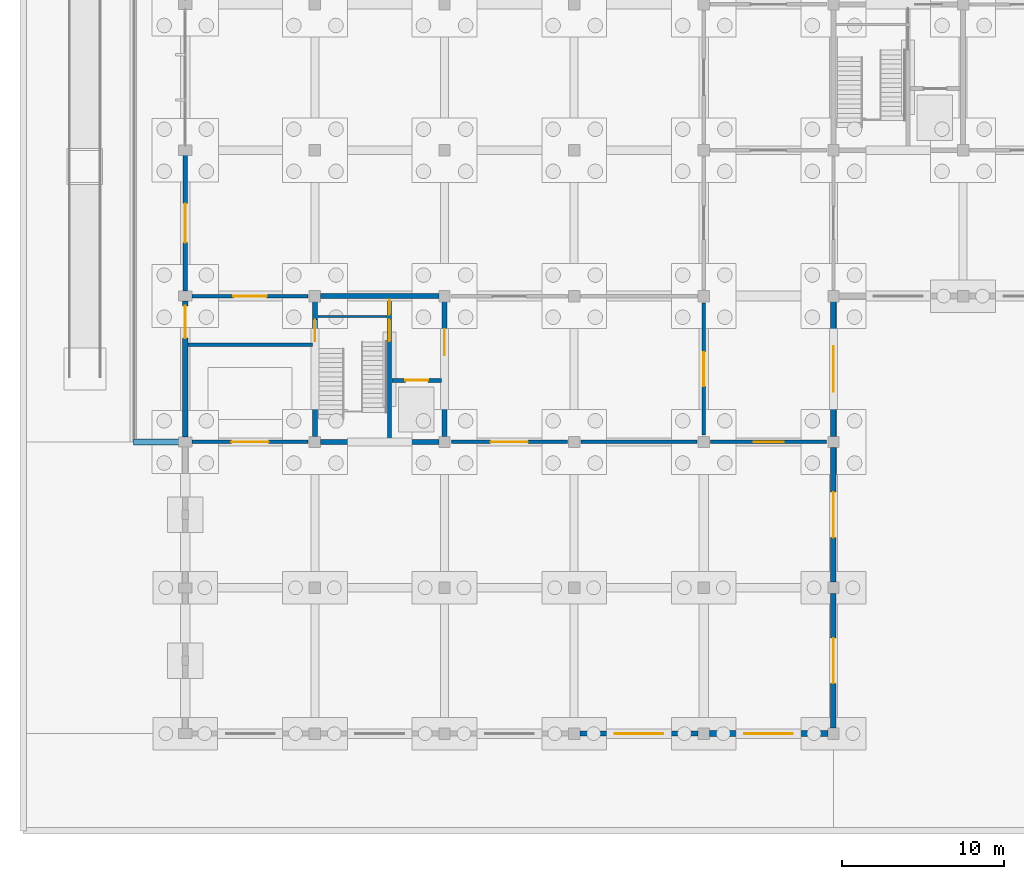
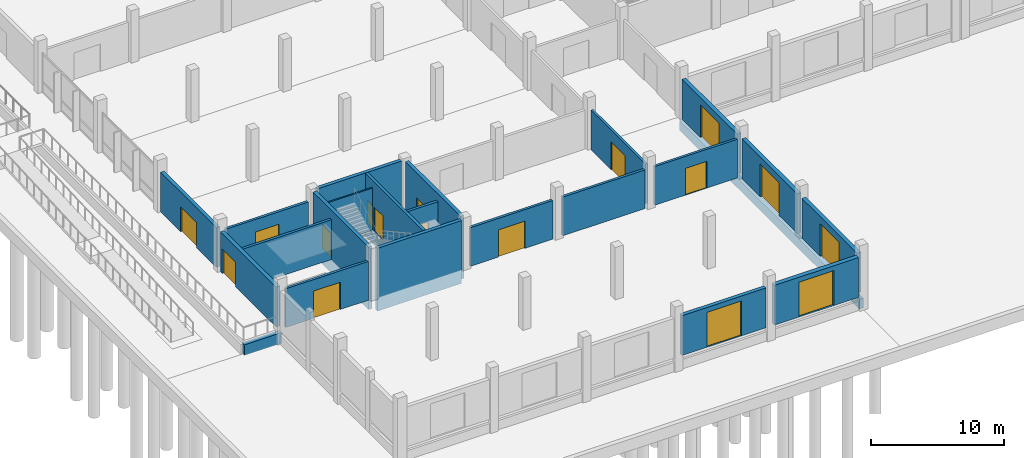
# One storey, part 40 of 72: 23 walls, 17 doors, 17 openings.
"""IFC4 building model written with IfcOpenShell, lengths in metres."""

from ifc_helpers import new_model, si_unit, direction, frame, frame_2d, origin, place, context, subcontext, project, spatial, rectangle, extrude, material, layer, layer_set, type_object, element, fill, save


model = new_model("IFC4")

# Units and contexts
model_context = context("Model", 3, precision=1e-05, world=origin(), true_north=direction((0.0, 1.0)))
body_context = subcontext(model_context, "Body", "Model", "MODEL_VIEW")
ifc_project = project(units=[si_unit("LENGTHUNIT", "METRE"), si_unit("AREAUNIT", "SQUARE_METRE"), si_unit("VOLUMEUNIT", "CUBIC_METRE"), si_unit("PLANEANGLEUNIT", "RADIAN"), si_unit("MASSUNIT", "GRAM", prefix="KILO"), si_unit("THERMODYNAMICTEMPERATUREUNIT", "KELVIN"), si_unit("POWERUNIT", "WATT")], contexts=[model_context])

# Site, building, storey
site_placement = place(None, origin())
site = spatial("IfcSite", under=ifc_project, at=site_placement, CompositionType="ELEMENT")
building_placement = place(site_placement, origin())
building = spatial("IfcBuilding", under=site, at=building_placement, Name="Kronsvod Quay Wholesale Market", CompositionType="ELEMENT")
storey_placement = place(building_placement, origin())
storey = spatial("IfcBuildingStorey", under=building, at=storey_placement, Name="L00", CompositionType="ELEMENT", Elevation=0.0)

# Wall, opening, door
ifc_material_1 = material(Name="Polyisocyanurate insulated cold-room panel")
ifc_layer_1 = layer(ifc_material_1, 0.195068359375)
ifc_layer_set_1 = layer_set([ifc_layer_1], Name="Polyisocyanurate insulated cold-room panel")
wall_type_1 = type_object("IfcWallType", Name="Wall_ColdInsul195", PredefinedType="PARTITIONING", material=ifc_layer_set_1)
wall_1_placement = place(storey_placement, frame((32.0, 18.419921875, 0.0), z_axis=(0.0, 0.0, 1.0), x_axis=(0.0, 1.0, 0.0)))
wall_1 = element("IfcWall", 1, at=wall_1_placement, inside=storey, type_object=wall_type_1, Name="PW-L00-0007", PredefinedType="PARTITIONING", context=body_context, shape_type="SweptSolid", body=[
    extrude(rectangle(XDim=8.16015625, YDim=0.195068359375, at=frame_2d((4.080078125, 0.0))), origin(), (0.0, 0.0, 1.0), 3.64990234375),
])
opening_1_placement = place(wall_1_placement, frame((3.030029296875, 0.0, 0.0)))
opening_1 = element("IfcOpeningElement", 2, at=opening_1_placement, cuts=wall_1, Name="Opening D-0130", PredefinedType="OPENING", context=body_context, shape_type="SweptSolid", body=[
    extrude(rectangle(XDim=2.10009765625, YDim=2.550048828125, at=frame_2d((1.050048828125, 1.27490234375))), frame((0.0, 0.107421875, 0.0), z_axis=(0.0, -1.0, 0.0), x_axis=(1.0, 0.0, 0.0)), (0.0, 0.0, 1.0), 0.215087890625),
])
ifc_material_2 = material(Name="Insulated stainless cold-store door", Category="steel")
door_type_1 = type_object("IfcDoorType", Name="Door_ColdSlide210x255", OperationType="SLIDING_TO_RIGHT", PredefinedType="DOOR", material=ifc_material_2)
door_1_placement = place(opening_1_placement, origin())
door_1 = element("IfcDoor", 3, at=door_1_placement, inside=storey, type_object=door_type_1, Name="Interior Door D-0130", OperationType="SLIDING_TO_LEFT", OverallHeight=2.550048828125, OverallWidth=2.10009765625, PredefinedType="DOOR", context=body_context, shape_type="SweptSolid", body=[
    extrude(rectangle(XDim=2.10009765625, YDim=2.550048828125, at=frame_2d((1.050048828125, 1.27490234375))), frame((0.0, 0.02490234375, 0.0), z_axis=(0.0, -1.0, 0.0), x_axis=(1.0, 0.0, 0.0)), (0.0, 0.0, 1.0), 0.050048828125),
])
fill(opening_1, door_1)

ifc_material_3 = material(Name="Polyisocyanurate insulated cold-room panel")
ifc_layer_2 = layer(ifc_material_3, 0.2099609375)
ifc_layer_set_2 = layer_set([ifc_layer_2], Name="Polyisocyanurate insulated cold-room panel")
wall_type_2 = type_object("IfcWallType", Name="Wall_ColdInsul210", PredefinedType="PARTITIONING", material=ifc_layer_set_2)
wall_2_placement = place(storey_placement, frame((32.419921875, 18.0, 0.0), z_axis=(0.0, 0.0, 1.0), x_axis=(1.0, 0.0, 0.0)))
wall_2 = element("IfcWall", 4, at=wall_2_placement, inside=storey, type_object=wall_type_2, Name="PW-L00-0033", PredefinedType="PARTITIONING", context=body_context, shape_type="SweptSolid", body=[
    extrude(rectangle(XDim=7.16015625, YDim=0.2099609375, at=frame_2d((3.580078125, 0.0))), origin(), (0.0, 0.0, 1.0), 3.550048828125),
])
opening_2_placement = place(wall_2_placement, frame((2.655029296875, 0.0, 0.0)))
opening_2 = element("IfcOpeningElement", 5, at=opening_2_placement, cuts=wall_2, Name="Opening D-0146", PredefinedType="OPENING", context=body_context, shape_type="SweptSolid", body=[
    extrude(rectangle(XDim=1.85009765625, YDim=2.449951171875, at=frame_2d((0.925048828125, 1.22509765625))), frame((0.0, 0.114990234375, 0.0), z_axis=(0.0, -1.0, 0.0), x_axis=(1.0, 0.0, 0.0)), (0.0, 0.0, 1.0), 0.22998046875),
])
ifc_material_4 = material(Name="Insulated stainless cold-store door", Category="steel")
door_type_2 = type_object("IfcDoorType", Name="Door_ColdSlide185x245", OperationType="SLIDING_TO_LEFT", PredefinedType="DOOR", material=ifc_material_4)
door_2_placement = place(opening_2_placement, origin())
door_2 = element("IfcDoor", 6, at=door_2_placement, inside=storey, type_object=door_type_2, Name="Interior Door D-0146", OperationType="SLIDING_TO_LEFT", OverallHeight=2.449951171875, OverallWidth=1.85009765625, PredefinedType="DOOR", context=body_context, shape_type="SweptSolid", body=[
    extrude(rectangle(XDim=1.85009765625, YDim=2.449951171875, at=frame_2d((0.925048828125, 1.22509765625))), frame((0.0, 0.02490234375, 0.0), z_axis=(0.0, -1.0, 0.0), x_axis=(1.0, 0.0, 0.0)), (0.0, 0.0, 1.0), 0.050048828125),
])
fill(opening_2, door_2)

# Walls
ifc_material_5 = material(Name="Concrete C35/45", Category="concrete")
ifc_layer_3 = layer(ifc_material_5, 0.300048828125)
ifc_layer_set_3 = layer_set([ifc_layer_3], Name="Concrete C35/45")
wall_type_3 = type_object("IfcWallType", Name="Wall_CoreShear300", PredefinedType="SHEAR", material=ifc_layer_set_3)
for number, where, z_axis, x_axis, name in (
    (7, (8.344970703125, 18.0, -1.25), (0.0, 0.0, 1.0), (1.0, 0.0, 0.0), "CW-C01-L00-S"),
    (8, (8.344970703125, 27.0, -1.25), (0.0, 0.0, 1.0), (1.0, 0.0, 0.0), "CW-C01-L00-N"),
):
    element("IfcWall", number, at=place(storey_placement, frame(where, z_axis=z_axis, x_axis=x_axis)), inside=storey, type_object=wall_type_3, Name=name, PredefinedType="SHEAR", context=body_context, shape_type="SweptSolid", body=[
        extrude(rectangle(XDim=7.31005859375, YDim=0.300048828125, at=frame_2d((3.655029296875, 0.0))), origin(), (0.0, 0.0, 1.0), 5.7548828125),
    ])

# Wall, opening, door
wall_3_placement = place(storey_placement, frame((8.0, 18.344970703125, -1.25), z_axis=(0.0, 0.0, 1.0), x_axis=(0.0, 1.0, 0.0)))
wall_3 = element("IfcWall", 9, at=wall_3_placement, inside=storey, type_object=wall_type_3, Name="CW-C01-L00-W", PredefinedType="SHEAR", context=body_context, shape_type="SweptSolid", body=[
    extrude(rectangle(XDim=8.31005859375, YDim=0.300048828125, at=frame_2d((4.155029296875, 0.0))), origin(), (0.0, 0.0, 1.0), 5.7548828125),
])
opening_3_placement = place(wall_3_placement, frame((5.85498046875, 0.0, 1.25)))
opening_3 = element("IfcOpeningElement", 10, at=opening_3_placement, cuts=wall_3, Name="Opening D-0398", PredefinedType="OPENING", context=body_context, shape_type="SweptSolid", body=[
    extrude(rectangle(XDim=1.35009765625, YDim=2.199951171875, at=frame_2d((0.675048828125, 1.10009765625))), frame((0.0, 0.16015625, 0.0), z_axis=(0.0, -1.0, 0.0), x_axis=(1.0, 0.0, 0.0)), (0.0, 0.0, 1.0), 0.320068359375),
])
ifc_material_6 = material(Name="Painted galvanized fire steel", Category="steel")
door_type_3 = type_object("IfcDoorType", Name="Door_FireStair135x220", OperationType="NOTDEFINED", PredefinedType="DOOR", material=ifc_material_6)
door_3_placement = place(opening_3_placement, origin())
door_3 = element("IfcDoor", 11, at=door_3_placement, inside=storey, type_object=door_type_3, Name="Stair Exit Door D-0398", OperationType="SINGLE_SWING_LEFT", OverallHeight=2.199951171875, OverallWidth=1.35009765625, PredefinedType="DOOR", context=body_context, shape_type="SweptSolid", body=[
    extrude(rectangle(XDim=1.35009765625, YDim=2.199951171875, at=frame_2d((0.675048828125, 1.10009765625))), frame((0.0, 0.02490234375, 0.0), z_axis=(0.0, -1.0, 0.0), x_axis=(1.0, 0.0, 0.0)), (0.0, 0.0, 1.0), 0.050048828125),
])
fill(opening_3, door_3)

wall_4_placement = place(storey_placement, frame((16.0, 18.344970703125, -1.25), z_axis=(0.0, 0.0, 1.0), x_axis=(0.0, 1.0, 0.0)))
wall_4 = element("IfcWall", 12, at=wall_4_placement, inside=storey, type_object=wall_type_3, Name="CW-C01-L00-E", PredefinedType="SHEAR", context=body_context, shape_type="SweptSolid", body=[
    extrude(rectangle(XDim=8.31005859375, YDim=0.300048828125, at=frame_2d((4.155029296875, 0.0))), origin(), (0.0, 0.0, 1.0), 5.7548828125),
])
opening_4_placement = place(wall_4_placement, frame((5.0, 0.0, 1.25)))
opening_4 = element("IfcOpeningElement", 13, at=opening_4_placement, cuts=wall_4, Name="Opening D-0003", PredefinedType="OPENING", context=body_context, shape_type="SweptSolid", body=[
    extrude(rectangle(XDim=1.60009765625, YDim=2.199951171875, at=frame_2d((0.800048828125, 1.10009765625))), frame((0.0, 0.16015625, 0.0), z_axis=(0.0, -1.0, 0.0), x_axis=(1.0, 0.0, 0.0)), (0.0, 0.0, 1.0), 0.320068359375),
])
ifc_material_7 = material(Name="Painted galvanized fire steel", Category="steel")
door_type_4 = type_object("IfcDoorType", Name="Door_FireLobby160x220", OperationType="DOUBLE_DOOR_SINGLE_SWING", PredefinedType="DOOR", material=ifc_material_7)
door_4_placement = place(opening_4_placement, origin())
door_4 = element("IfcDoor", 14, at=door_4_placement, inside=storey, type_object=door_type_4, Name="Core Lobby Door D-0003", OperationType="DOUBLE_DOOR_SINGLE_SWING", OverallHeight=2.199951171875, OverallWidth=1.60009765625, PredefinedType="DOOR", context=body_context, shape_type="SweptSolid", body=[
    extrude(rectangle(XDim=1.60009765625, YDim=2.199951171875, at=frame_2d((0.800048828125, 1.10009765625))), frame((0.0, 0.02490234375, 0.0), z_axis=(0.0, -1.0, 0.0), x_axis=(1.0, 0.0, 0.0)), (0.0, 0.0, 1.0), 0.050048828125),
])
fill(opening_4, door_4)

ifc_material_8 = material(Name="Precast concrete C40/50", Category="concrete")
ifc_layer_4 = layer(ifc_material_8, 0.340087890625)
ifc_layer_set_4 = layer_set([ifc_layer_4], Name="Precast concrete C40/50")
wall_type_4 = type_object("IfcWallType", Name="Wall_ExtColdSandwich340", PredefinedType="SOLIDWALL", material=ifc_layer_set_4)
wall_5_placement = place(storey_placement, frame((0.0, 26.695068359375, 0.0), z_axis=(0.0, 0.0, 1.0), x_axis=(0.0, -1.0, 0.0)))
wall_5 = element("IfcWall", 15, at=wall_5_placement, inside=storey, type_object=wall_type_4, Name="EW-Y-L00-0015", PredefinedType="SOLIDWALL", context=body_context, shape_type="SweptSolid", body=[
    extrude(rectangle(XDim=8.39013671875, YDim=0.340087890625, at=frame_2d((4.195068359375, 0.0))), origin(), (0.0, 0.0, 1.0), 3.64990234375),
])
opening_5_placement = place(wall_5_placement, frame((0.29296875, 0.0, 0.0)))
opening_5 = element("IfcOpeningElement", 16, at=opening_5_placement, cuts=wall_5, Name="Opening ED-061", PredefinedType="OPENING", context=body_context, shape_type="SweptSolid", body=[
    extrude(rectangle(XDim=2.0, YDim=2.25, at=frame_2d((1.0, 1.125))), frame((0.0, 0.18017578125, 0.0), z_axis=(0.0, -1.0, 0.0), x_axis=(1.0, 0.0, 0.0)), (0.0, 0.0, 1.0), 0.360107421875),
])
ifc_material_9 = material(Name="Aluminium and safety glass", Category="aluminium")
door_type_5 = type_object("IfcDoorType", Name="Door_ExitDouble200x225", OperationType="DOUBLE_DOOR_SINGLE_SWING", PredefinedType="DOOR", material=ifc_material_9)
door_5_placement = place(opening_5_placement, frame((2.0, 0.0, 0.0), z_axis=(0.0, 0.0, 1.0), x_axis=(-1.0, 0.0, 0.0)))
door_5 = element("IfcDoor", 17, at=door_5_placement, inside=storey, type_object=door_type_5, Name="Street Exit Door ED-061", OperationType="DOUBLE_DOOR_SINGLE_SWING", OverallHeight=2.25, OverallWidth=2.0, PredefinedType="DOOR", context=body_context, shape_type="SweptSolid", body=[
    extrude(rectangle(XDim=2.0, YDim=2.25, at=frame_2d((1.0, 1.125))), frame((0.0, 0.02490234375, 0.0), z_axis=(0.0, -1.0, 0.0), x_axis=(1.0, 0.0, 0.0)), (0.0, 0.0, 1.0), 0.050048828125),
])
fill(opening_5, door_5)

wall_6_placement = place(storey_placement, frame((40.0, 0.344970703125, 0.0), z_axis=(0.0, 0.0, 1.0), x_axis=(0.0, 1.0, 0.0)))
wall_6 = element("IfcWall", 18, at=wall_6_placement, inside=storey, type_object=wall_type_4, Name="EW-Y-L00-0021", PredefinedType="SOLIDWALL", context=body_context, shape_type="SweptSolid", body=[
    extrude(rectangle(XDim=8.31005859375, YDim=0.340087890625, at=frame_2d((4.155029296875, 0.0))), origin(), (0.0, 0.0, 1.0), 3.64990234375),
])
opening_6_placement = place(wall_6_placement, frame((2.7548828125, 0.0, 0.0)))
opening_6 = element("IfcOpeningElement", 19, at=opening_6_placement, cuts=wall_6, Name="Opening ED-015", PredefinedType="OPENING", context=body_context, shape_type="SweptSolid", body=[
    extrude(rectangle(XDim=2.800048828125, YDim=3.0, at=frame_2d((1.39990234375, 1.5))), frame((0.0, 0.18017578125, 0.0), z_axis=(0.0, -1.0, 0.0), x_axis=(1.0, 0.0, 0.0)), (0.0, 0.0, 1.0), 0.360107421875),
])
ifc_material_10 = material(Name="Insulated galvanized steel sectional shutter", Category="steel")
door_type_6 = type_object("IfcDoorType", Name="Door_DockShutter280x300", OperationType="ROLLINGUP", PredefinedType="GATE", material=ifc_material_10)
door_6_placement = place(opening_6_placement, origin())
door_6 = element("IfcDoor", 20, at=door_6_placement, inside=storey, type_object=door_type_6, Name="Loading Dock Door ED-015", OperationType="ROLLINGUP", OverallHeight=3.0, OverallWidth=2.800048828125, PredefinedType="GATE", context=body_context, shape_type="SweptSolid", body=[
    extrude(rectangle(XDim=2.800048828125, YDim=3.0, at=frame_2d((1.39990234375, 1.5))), frame((0.0, 0.02490234375, 0.0), z_axis=(0.0, -1.0, 0.0), x_axis=(1.0, 0.0, 0.0)), (0.0, 0.0, 1.0), 0.050048828125),
])
fill(opening_6, door_6)

wall_7_placement = place(storey_placement, frame((40.0, 9.344970703125, 0.0), z_axis=(0.0, 0.0, 1.0), x_axis=(0.0, 1.0, 0.0)))
wall_7 = element("IfcWall", 21, at=wall_7_placement, inside=storey, type_object=wall_type_4, Name="EW-Y-L00-0022", PredefinedType="SOLIDWALL", context=body_context, shape_type="SweptSolid", body=[
    extrude(rectangle(XDim=8.31005859375, YDim=0.340087890625, at=frame_2d((4.155029296875, 0.0))), origin(), (0.0, 0.0, 1.0), 3.64990234375),
])
opening_7_placement = place(wall_7_placement, frame((2.7548828125, 0.0, 0.0)))
opening_7 = element("IfcOpeningElement", 22, at=opening_7_placement, cuts=wall_7, Name="Opening ED-016", PredefinedType="OPENING", context=body_context, shape_type="SweptSolid", body=[
    extrude(rectangle(XDim=2.800048828125, YDim=3.0, at=frame_2d((1.39990234375, 1.5))), frame((0.0, 0.18017578125, 0.0), z_axis=(0.0, -1.0, 0.0), x_axis=(1.0, 0.0, 0.0)), (0.0, 0.0, 1.0), 0.360107421875),
])
door_7_placement = place(opening_7_placement, origin())
door_7 = element("IfcDoor", 23, at=door_7_placement, inside=storey, type_object=door_type_6, Name="Loading Dock Door ED-016", OperationType="ROLLINGUP", OverallHeight=3.0, OverallWidth=2.800048828125, PredefinedType="GATE", context=body_context, shape_type="SweptSolid", body=[
    extrude(rectangle(XDim=2.800048828125, YDim=3.0, at=frame_2d((1.39990234375, 1.5))), frame((0.0, 0.02490234375, 0.0), z_axis=(0.0, -1.0, 0.0), x_axis=(1.0, 0.0, 0.0)), (0.0, 0.0, 1.0), 0.050048828125),
])
fill(opening_7, door_7)

wall_8_placement = place(storey_placement, frame((40.0, 18.344970703125, 0.0), z_axis=(0.0, 0.0, 1.0), x_axis=(0.0, 1.0, 0.0)))
wall_8 = element("IfcWall", 24, at=wall_8_placement, inside=storey, type_object=wall_type_4, Name="EW-Y-L00-0023", PredefinedType="SOLIDWALL", context=body_context, shape_type="SweptSolid", body=[
    extrude(rectangle(XDim=8.31005859375, YDim=0.340087890625, at=frame_2d((4.155029296875, 0.0))), origin(), (0.0, 0.0, 1.0), 3.64990234375),
])
opening_8_placement = place(wall_8_placement, frame((2.7548828125, 0.0, 0.0)))
opening_8 = element("IfcOpeningElement", 25, at=opening_8_placement, cuts=wall_8, Name="Opening ED-017", PredefinedType="OPENING", context=body_context, shape_type="SweptSolid", body=[
    extrude(rectangle(XDim=2.800048828125, YDim=3.0, at=frame_2d((1.39990234375, 1.5))), frame((0.0, 0.18017578125, 0.0), z_axis=(0.0, -1.0, 0.0), x_axis=(1.0, 0.0, 0.0)), (0.0, 0.0, 1.0), 0.360107421875),
])
door_8_placement = place(opening_8_placement, origin())
door_8 = element("IfcDoor", 26, at=door_8_placement, inside=storey, type_object=door_type_6, Name="Loading Dock Door ED-017", OperationType="ROLLINGUP", OverallHeight=3.0, OverallWidth=2.800048828125, PredefinedType="GATE", context=body_context, shape_type="SweptSolid", body=[
    extrude(rectangle(XDim=2.800048828125, YDim=3.0, at=frame_2d((1.39990234375, 1.5))), frame((0.0, 0.02490234375, 0.0), z_axis=(0.0, -1.0, 0.0), x_axis=(1.0, 0.0, 0.0)), (0.0, 0.0, 1.0), 0.050048828125),
])
fill(opening_8, door_8)

ifc_material_11 = material(Name="Precast concrete C40/50", Category="concrete")
ifc_layer_5 = layer(ifc_material_11, 0.3798828125)
ifc_layer_set_5 = layer_set([ifc_layer_5], Name="Precast concrete C40/50")
wall_type_5 = type_object("IfcWallType", Name="Wall_ExtColdSandwich380", PredefinedType="SOLIDWALL", material=ifc_layer_set_5)
wall_9_placement = place(storey_placement, frame((32.344970703125, 0.0, 0.0), z_axis=(0.0, 0.0, 1.0), x_axis=(1.0, 0.0, 0.0)))
wall_9 = element("IfcWall", 27, at=wall_9_placement, inside=storey, type_object=wall_type_5, Name="EW-X-L00-0005", PredefinedType="SOLIDWALL", context=body_context, shape_type="SweptSolid", body=[
    extrude(rectangle(XDim=7.31005859375, YDim=0.3798828125, at=frame_2d((3.655029296875, 0.0))), origin(), (0.0, 0.0, 1.0), 3.64990234375),
])
opening_9_placement = place(wall_9_placement, frame((2.155029296875, 0.0, 0.0)))
opening_9 = element("IfcOpeningElement", 28, at=opening_9_placement, cuts=wall_9, Name="Opening ED-005", PredefinedType="OPENING", context=body_context, shape_type="SweptSolid", body=[
    extrude(rectangle(XDim=3.0, YDim=3.199951171875, at=frame_2d((1.5, 1.60009765625))), frame((0.0, 0.199951171875, 0.0), z_axis=(0.0, -1.0, 0.0), x_axis=(1.0, 0.0, 0.0)), (0.0, 0.0, 1.0), 0.39990234375),
])
ifc_material_12 = material(Name="Insulated galvanized steel sectional shutter", Category="steel")
door_type_7 = type_object("IfcDoorType", Name="Door_DockShutter300x320", OperationType="ROLLINGUP", PredefinedType="GATE", material=ifc_material_12)
door_9_placement = place(opening_9_placement, origin())
door_9 = element("IfcDoor", 29, at=door_9_placement, inside=storey, type_object=door_type_7, Name="Loading Dock Door ED-005", OperationType="ROLLINGUP", OverallHeight=3.199951171875, OverallWidth=3.0, PredefinedType="GATE", context=body_context, shape_type="SweptSolid", body=[
    extrude(rectangle(XDim=3.0, YDim=3.199951171875, at=frame_2d((1.5, 1.60009765625))), frame((0.0, 0.02490234375, 0.0), z_axis=(0.0, -1.0, 0.0), x_axis=(1.0, 0.0, 0.0)), (0.0, 0.0, 1.0), 0.050048828125),
])
fill(opening_9, door_9)

ifc_material_13 = material(Name="Precast concrete C40/50", Category="concrete")
ifc_layer_6 = layer(ifc_material_13, 0.300048828125)
ifc_layer_set_6 = layer_set([ifc_layer_6], Name="Precast concrete C40/50")
wall_type_6 = type_object("IfcWallType", Name="Wall_ExtPrecast300", PredefinedType="SOLIDWALL", material=ifc_layer_set_6)
wall_10_placement = place(storey_placement, frame((0.0, 35.695068359375, 0.0), z_axis=(0.0, 0.0, 1.0), x_axis=(0.0, -1.0, 0.0)))
wall_10 = element("IfcWall", 30, at=wall_10_placement, inside=storey, type_object=wall_type_6, Name="EW-Y-L00-0016", PredefinedType="SOLIDWALL", context=body_context, shape_type="SweptSolid", body=[
    extrude(rectangle(XDim=8.39013671875, YDim=0.300048828125, at=frame_2d((4.195068359375, 0.0))), origin(), (0.0, 0.0, 1.0), 3.64990234375),
])
opening_10_placement = place(wall_10_placement, frame((2.9951171875, 0.0, 0.0)))
opening_10 = element("IfcOpeningElement", 31, at=opening_10_placement, cuts=wall_10, Name="Opening ED-011", PredefinedType="OPENING", context=body_context, shape_type="SweptSolid", body=[
    extrude(rectangle(XDim=2.39990234375, YDim=2.300048828125, at=frame_2d((1.199951171875, 1.14990234375))), frame((0.0, 0.16015625, 0.0), z_axis=(0.0, -1.0, 0.0), x_axis=(1.0, 0.0, 0.0)), (0.0, 0.0, 1.0), 0.320068359375),
])
ifc_material_14 = material(Name="Aluminium and safety glass", Category="aluminium")
door_type_8 = type_object("IfcDoorType", Name="Door_ExitDouble240x230", OperationType="DOUBLE_DOOR_SINGLE_SWING", PredefinedType="DOOR", material=ifc_material_14)
door_10_placement = place(opening_10_placement, frame((2.39990234375, 0.0, 0.0), z_axis=(0.0, 0.0, 1.0), x_axis=(-1.0, 0.0, 0.0)))
door_10 = element("IfcDoor", 32, at=door_10_placement, inside=storey, type_object=door_type_8, Name="Street Exit Door ED-011", OperationType="DOUBLE_DOOR_SINGLE_SWING", OverallHeight=2.300048828125, OverallWidth=2.39990234375, PredefinedType="DOOR", context=body_context, shape_type="SweptSolid", body=[
    extrude(rectangle(XDim=2.39990234375, YDim=2.300048828125, at=frame_2d((1.199951171875, 1.14990234375))), frame((0.0, 0.02490234375, 0.0), z_axis=(0.0, -1.0, 0.0), x_axis=(1.0, 0.0, 0.0)), (0.0, 0.0, 1.0), 0.050048828125),
])
fill(opening_10, door_10)

ifc_material_15 = material(Name="Precast concrete C40/50", Category="concrete")
ifc_layer_7 = layer(ifc_material_15, 0.320068359375)
ifc_layer_set_7 = layer_set([ifc_layer_7], Name="Precast concrete C40/50")
wall_type_7 = type_object("IfcWallType", Name="Wall_ExtPrecast320", PredefinedType="SOLIDWALL", material=ifc_layer_set_7)
wall_11_placement = place(storey_placement, frame((24.344970703125, 0.0, 0.0), z_axis=(0.0, 0.0, 1.0), x_axis=(1.0, 0.0, 0.0)))
wall_11 = element("IfcWall", 33, at=wall_11_placement, inside=storey, type_object=wall_type_7, Name="EW-X-L00-0004", PredefinedType="SOLIDWALL", context=body_context, shape_type="SweptSolid", body=[
    extrude(rectangle(XDim=7.31005859375, YDim=0.320068359375, at=frame_2d((3.655029296875, 0.0))), origin(), (0.0, 0.0, 1.0), 3.64990234375),
])
opening_11_placement = place(wall_11_placement, frame((2.155029296875, 0.0, 0.0)))
opening_11 = element("IfcOpeningElement", 34, at=opening_11_placement, cuts=wall_11, Name="Opening ED-004", PredefinedType="OPENING", context=body_context, shape_type="SweptSolid", body=[
    extrude(rectangle(XDim=3.0, YDim=3.199951171875, at=frame_2d((1.5, 1.60009765625))), frame((0.0, 0.169921875, 0.0), z_axis=(0.0, -1.0, 0.0), x_axis=(1.0, 0.0, 0.0)), (0.0, 0.0, 1.0), 0.340087890625),
])
door_11_placement = place(opening_11_placement, origin())
door_11 = element("IfcDoor", 35, at=door_11_placement, inside=storey, type_object=door_type_7, Name="Loading Dock Door ED-004", OperationType="ROLLINGUP", OverallHeight=3.199951171875, OverallWidth=3.0, PredefinedType="GATE", context=body_context, shape_type="SweptSolid", body=[
    extrude(rectangle(XDim=3.0, YDim=3.199951171875, at=frame_2d((1.5, 1.60009765625))), frame((0.0, 0.02490234375, 0.0), z_axis=(0.0, -1.0, 0.0), x_axis=(1.0, 0.0, 0.0)), (0.0, 0.0, 1.0), 0.050048828125),
])
fill(opening_11, door_11)

ifc_material_16 = material(Name="Concrete C35/45", Category="concrete")
ifc_layer_8 = layer(ifc_material_16, 0.219970703125)
ifc_layer_set_8 = layer_set([ifc_layer_8], Name="Concrete C35/45")
wall_type_8 = type_object("IfcWallType", Name="Wall_FireComp220", PredefinedType="SOLIDWALL", material=ifc_layer_set_8)
wall_12_placement = place(storey_placement, frame((0.419921875, 27.0, 0.0), z_axis=(0.0, 0.0, 1.0), x_axis=(1.0, 0.0, 0.0)))
wall_12 = element("IfcWall", 36, at=wall_12_placement, inside=storey, type_object=wall_type_8, Name="PW-L00-0001", PredefinedType="SOLIDWALL", context=body_context, shape_type="SweptSolid", body=[
    extrude(rectangle(XDim=7.16015625, YDim=0.219970703125, at=frame_2d((3.580078125, 0.0))), origin(), (0.0, 0.0, 1.0), 3.550048828125),
])
opening_12_placement = place(wall_12_placement, frame((2.554931640625, 0.0, 0.0)))
opening_12 = element("IfcOpeningElement", 37, at=opening_12_placement, cuts=wall_12, Name="Opening D-0126", PredefinedType="OPENING", context=body_context, shape_type="SweptSolid", body=[
    extrude(rectangle(XDim=2.050048828125, YDim=2.39990234375, at=frame_2d((1.02490234375, 1.199951171875))), frame((0.0, 0.1201171875, 0.0), z_axis=(0.0, -1.0, 0.0), x_axis=(1.0, 0.0, 0.0)), (0.0, 0.0, 1.0), 0.239990234375),
])
ifc_material_17 = material(Name="Impact-protected warehouse double door", Category="steel")
door_type_9 = type_object("IfcDoorType", Name="Door_Sorting205x240", OperationType="DOUBLE_DOOR_SINGLE_SWING", PredefinedType="DOOR", material=ifc_material_17)
door_12_placement = place(opening_12_placement, origin())
door_12 = element("IfcDoor", 38, at=door_12_placement, inside=storey, type_object=door_type_9, Name="Interior Door D-0126", OperationType="DOUBLE_DOOR_SINGLE_SWING", OverallHeight=2.39990234375, OverallWidth=2.050048828125, PredefinedType="DOOR", context=body_context, shape_type="SweptSolid", body=[
    extrude(rectangle(XDim=2.050048828125, YDim=2.39990234375, at=frame_2d((1.02490234375, 1.199951171875))), frame((0.0, 0.02490234375, 0.0), z_axis=(0.0, -1.0, 0.0), x_axis=(1.0, 0.0, 0.0)), (0.0, 0.0, 1.0), 0.050048828125),
])
fill(opening_12, door_12)

wall_13_placement = place(storey_placement, frame((0.419921875, 18.0, 0.0), z_axis=(0.0, 0.0, 1.0), x_axis=(1.0, 0.0, 0.0)))
wall_13 = element("IfcWall", 39, at=wall_13_placement, inside=storey, type_object=wall_type_8, Name="PW-L00-0002", PredefinedType="SOLIDWALL", context=body_context, shape_type="SweptSolid", body=[
    extrude(rectangle(XDim=7.16015625, YDim=0.219970703125, at=frame_2d((3.580078125, 0.0))), origin(), (0.0, 0.0, 1.0), 3.550048828125),
])
opening_13_placement = place(wall_13_placement, frame((2.429931640625, 0.0, 0.0)))
opening_13 = element("IfcOpeningElement", 40, at=opening_13_placement, cuts=wall_13, Name="Opening D-0127", PredefinedType="OPENING", context=body_context, shape_type="SweptSolid", body=[
    extrude(rectangle(XDim=2.300048828125, YDim=2.5, at=frame_2d((1.14990234375, 1.25))), frame((0.0, 0.1201171875, 0.0), z_axis=(0.0, -1.0, 0.0), x_axis=(1.0, 0.0, 0.0)), (0.0, 0.0, 1.0), 0.239990234375),
])
ifc_material_18 = material(Name="Impact-protected warehouse double door", Category="steel")
door_type_10 = type_object("IfcDoorType", Name="Door_Sorting230x250", OperationType="DOUBLE_DOOR_SINGLE_SWING", PredefinedType="DOOR", material=ifc_material_18)
door_13_placement = place(opening_13_placement, origin())
door_13 = element("IfcDoor", 41, at=door_13_placement, inside=storey, type_object=door_type_10, Name="Interior Door D-0127", OperationType="DOUBLE_DOOR_SINGLE_SWING", OverallHeight=2.5, OverallWidth=2.300048828125, PredefinedType="DOOR", context=body_context, shape_type="SweptSolid", body=[
    extrude(rectangle(XDim=2.300048828125, YDim=2.5, at=frame_2d((1.14990234375, 1.25))), frame((0.0, 0.02490234375, 0.0), z_axis=(0.0, -1.0, 0.0), x_axis=(1.0, 0.0, 0.0)), (0.0, 0.0, 1.0), 0.050048828125),
])
fill(opening_13, door_13)

wall_14_placement = place(storey_placement, frame((16.419921875, 18.0, 0.0), z_axis=(0.0, 0.0, 1.0), x_axis=(1.0, 0.0, 0.0)))
wall_14 = element("IfcWall", 42, at=wall_14_placement, inside=storey, type_object=wall_type_8, Name="PW-L00-0005", PredefinedType="SOLIDWALL", context=body_context, shape_type="SweptSolid", body=[
    extrude(rectangle(XDim=7.16015625, YDim=0.219970703125, at=frame_2d((3.580078125, 0.0))), origin(), (0.0, 0.0, 1.0), 3.550048828125),
])
opening_14_placement = place(wall_14_placement, frame((2.429931640625, 0.0, 0.0)))
opening_14 = element("IfcOpeningElement", 43, at=opening_14_placement, cuts=wall_14, Name="Opening D-0129", PredefinedType="OPENING", context=body_context, shape_type="SweptSolid", body=[
    extrude(rectangle(XDim=2.300048828125, YDim=2.5, at=frame_2d((1.14990234375, 1.25))), frame((0.0, 0.1201171875, 0.0), z_axis=(0.0, -1.0, 0.0), x_axis=(1.0, 0.0, 0.0)), (0.0, 0.0, 1.0), 0.239990234375),
])
door_14_placement = place(opening_14_placement, origin())
door_14 = element("IfcDoor", 44, at=door_14_placement, inside=storey, type_object=door_type_10, Name="Interior Door D-0129", OperationType="DOUBLE_DOOR_SINGLE_SWING", OverallHeight=2.5, OverallWidth=2.300048828125, PredefinedType="DOOR", context=body_context, shape_type="SweptSolid", body=[
    extrude(rectangle(XDim=2.300048828125, YDim=2.5, at=frame_2d((1.14990234375, 1.25))), frame((0.0, 0.02490234375, 0.0), z_axis=(0.0, -1.0, 0.0), x_axis=(1.0, 0.0, 0.0)), (0.0, 0.0, 1.0), 0.050048828125),
])
fill(opening_14, door_14)

# Walls
wall_15_placement = place(storey_placement, frame((24.419921875, 18.0, 0.0), z_axis=(0.0, 0.0, 1.0), x_axis=(1.0, 0.0, 0.0)))
element("IfcWall", 45, at=wall_15_placement, inside=storey, type_object=wall_type_8, Name="PW-L00-0006", PredefinedType="SOLIDWALL", context=body_context, shape_type="SweptSolid", body=[
    extrude(rectangle(XDim=7.16015625, YDim=0.219970703125, at=frame_2d((3.580078125, 0.0))), origin(), (0.0, 0.0, 1.0), 3.550048828125),
])
wall_16_placement = place(storey_placement, frame((0.169921875, 24.0, 0.0), z_axis=(0.0, 0.0, 1.0), x_axis=(1.0, 0.0, 0.0)))
element("IfcWall", 46, at=wall_16_placement, inside=storey, type_object=wall_type_8, Name="XPW-C01-S", PredefinedType="SOLIDWALL", context=body_context, shape_type="SweptSolid", body=[
    extrude(rectangle(XDim=7.68017578125, YDim=0.219970703125, at=frame_2d((3.840087890625, 0.0))), origin(), (0.0, 0.0, 1.0), 3.64990234375),
])
ifc_material_19 = material(Name="Fire-rated shaft riser block wall", Category="masonry")
ifc_layer_9 = layer(ifc_material_19, 0.1298828125)
ifc_layer_set_9 = layer_set([ifc_layer_9], Name="Fire-rated shaft riser block wall")
wall_type_9 = type_object("IfcWallType", Name="Wall_PartRiser130", PredefinedType="PARTITIONING", material=ifc_layer_set_9)
wall_17_placement = place(storey_placement, frame((8.179931640625, 25.75, 0.0), z_axis=(0.0, 0.0, 1.0), x_axis=(1.0, 0.0, 0.0)))
element("IfcWall", 47, at=wall_17_placement, inside=storey, type_object=wall_type_9, Name="CW-C01-L00-RSR", PredefinedType="PARTITIONING", context=body_context, shape_type="SweptSolid", body=[
    extrude(rectangle(XDim=4.280029296875, YDim=0.1298828125, at=frame_2d((2.14013671875, 0.0))), origin(), (0.0, 0.0, 1.0), 3.85498046875),
])
ifc_material_20 = material(Name="Precast concrete C40/50", Category="concrete")
ifc_layer_10 = layer(ifc_material_20, 0.35009765625)
ifc_layer_set_10 = layer_set([ifc_layer_10], Name="Precast concrete C40/50")
wall_type_10 = type_object("IfcWallType", Name="Wall_PlinthSkirt350", PredefinedType="STANDARD", material=ifc_layer_set_10)
wall_18_placement = place(storey_placement, frame((-3.199951171875, 18.0, -1.25), z_axis=(0.0, 0.0, 1.0), x_axis=(1.0, 0.0, 0.0)))
element("IfcWall", 48, at=wall_18_placement, inside=storey, type_object=wall_type_10, Name="RW-WDK1", PredefinedType="STANDARD", context=body_context, shape_type="SweptSolid", body=[
    extrude(rectangle(XDim=3.199951171875, YDim=0.35009765625, at=frame_2d((1.60009765625, 0.0))), origin(), (0.0, 0.0, 1.0), 0.969970703125),
])
wall_19_placement = place(storey_placement, frame((40.0, 0.0, -1.25), z_axis=(0.0, 0.0, 1.0), x_axis=(0.0, 1.0, 0.0)))
element("IfcWall", 49, at=wall_19_placement, inside=storey, type_object=wall_type_10, Name="RW-YW", PredefinedType="STANDARD", context=body_context, shape_type="SweptSolid", body=[
    extrude(rectangle(XDim=27.0, YDim=0.35009765625, at=frame_2d((13.5, 0.0))), origin(), (0.0, 0.0, 1.0), 0.89990234375),
])

# Wall, openings, doors
ifc_material_21 = material(Name="Concrete C35/45", Category="concrete")
ifc_layer_11 = layer(ifc_material_21, 0.239990234375)
ifc_layer_set_11 = layer_set([ifc_layer_11], Name="Concrete C35/45")
wall_type_11 = type_object("IfcWallType", Name="Wall_ShaftWall240", PredefinedType="SHEAR", material=ifc_layer_set_11)
wall_20_placement = place(storey_placement, frame((12.60009765625, 18.179931640625, -1.25), z_axis=(0.0, 0.0, 1.0), x_axis=(0.0, 1.0, 0.0)))
wall_20 = element("IfcWall", 50, at=wall_20_placement, inside=storey, type_object=wall_type_11, Name="CW-C01-L00-DIV", PredefinedType="SHEAR", context=body_context, shape_type="SweptSolid", body=[
    extrude(rectangle(XDim=8.64013671875, YDim=0.239990234375, at=frame_2d((4.320068359375, 0.0))), origin(), (0.0, 0.0, 1.0), 5.7548828125),
])
opening_15_placement = place(wall_20_placement, frame((6.02001953125, 0.0, 1.25)))
opening_15 = element("IfcOpeningElement", 51, at=opening_15_placement, cuts=wall_20, Name="Opening D-0001", PredefinedType="OPENING", context=body_context, shape_type="SweptSolid", body=[
    extrude(rectangle(XDim=1.35009765625, YDim=2.199951171875, at=frame_2d((0.675048828125, 1.10009765625))), frame((0.0, 0.1298828125, 0.0), z_axis=(0.0, -1.0, 0.0), x_axis=(1.0, 0.0, 0.0)), (0.0, 0.0, 1.0), 0.260009765625),
])
opening_16_placement = place(wall_20_placement, frame((7.679931640625, 0.0, 1.25)))
opening_16 = element("IfcOpeningElement", 52, at=opening_16_placement, cuts=wall_20, Name="Opening D-0002", PredefinedType="OPENING", context=body_context, shape_type="SweptSolid", body=[
    extrude(rectangle(XDim=0.89990234375, YDim=2.050048828125, at=frame_2d((0.449951171875, 1.02490234375))), frame((0.0, 0.1298828125, 0.0), z_axis=(0.0, -1.0, 0.0), x_axis=(1.0, 0.0, 0.0)), (0.0, 0.0, 1.0), 0.260009765625),
])
door_15_placement = place(opening_15_placement, origin())
door_15 = element("IfcDoor", 53, at=door_15_placement, inside=storey, type_object=door_type_3, Name="Stair Fire Door D-0001", OperationType="SINGLE_SWING_LEFT", OverallHeight=2.199951171875, OverallWidth=1.35009765625, PredefinedType="DOOR", context=body_context, shape_type="SweptSolid", body=[
    extrude(rectangle(XDim=1.35009765625, YDim=2.199951171875, at=frame_2d((0.675048828125, 1.10009765625))), frame((0.0, 0.02490234375, 0.0), z_axis=(0.0, -1.0, 0.0), x_axis=(1.0, 0.0, 0.0)), (0.0, 0.0, 1.0), 0.050048828125),
])
fill(opening_15, door_15)
ifc_material_22 = material(Name="Fire-rated steel riser access door", Category="steel")
door_type_11 = type_object("IfcDoorType", Name="Door_Riser90x205", OperationType="NOTDEFINED", PredefinedType="DOOR", material=ifc_material_22)
door_16_placement = place(opening_16_placement, origin())
door_16 = element("IfcDoor", 54, at=door_16_placement, inside=storey, type_object=door_type_11, Name="Service Riser Door D-0002", OperationType="SINGLE_SWING_RIGHT", OverallHeight=2.050048828125, OverallWidth=0.89990234375, PredefinedType="DOOR", context=body_context, shape_type="SweptSolid", body=[
    extrude(rectangle(XDim=0.89990234375, YDim=2.050048828125, at=frame_2d((0.449951171875, 1.02490234375))), frame((0.0, 0.02490234375, 0.0), z_axis=(0.0, -1.0, 0.0), x_axis=(1.0, 0.0, 0.0)), (0.0, 0.0, 1.0), 0.050048828125),
])
fill(opening_16, door_16)

# Wall, opening, door
wall_21_placement = place(storey_placement, frame((12.75, 21.800048828125, 0.0), z_axis=(0.0, 0.0, 1.0), x_axis=(1.0, 0.0, 0.0)))
wall_21 = element("IfcWall", 55, at=wall_21_placement, inside=storey, type_object=wall_type_11, Name="CW-C01-L00-LSH", PredefinedType="SHEAR", context=body_context, shape_type="SweptSolid", body=[
    extrude(rectangle(XDim=3.070068359375, YDim=0.239990234375, at=frame_2d((1.53515625, 0.0))), origin(), (0.0, 0.0, 1.0), 3.85498046875),
])
opening_17_placement = place(wall_21_placement, frame((0.8349609375, 0.0, 0.0)))
opening_17 = element("IfcOpeningElement", 56, at=opening_17_placement, cuts=wall_21, Name="Opening D-0004", PredefinedType="OPENING", context=body_context, shape_type="SweptSolid", body=[
    extrude(rectangle(XDim=1.39990234375, YDim=2.300048828125, at=frame_2d((0.699951171875, 1.14990234375))), frame((0.0, 0.1298828125, 0.0), z_axis=(0.0, -1.0, 0.0), x_axis=(1.0, 0.0, 0.0)), (0.0, 0.0, 1.0), 0.260009765625),
])
ifc_material_23 = material(Name="Brushed stainless steel", Category="steel")
door_type_12 = type_object("IfcDoorType", Name="Door_LiftLandingGoods", OperationType="SLIDING_TO_LEFT", PredefinedType="DOOR", material=ifc_material_23)
door_17_placement = place(opening_17_placement, origin())
door_17 = element("IfcDoor", 57, at=door_17_placement, inside=storey, type_object=door_type_12, Name="Lift Landing Door LFT-G01 L00", OperationType="SLIDING_TO_LEFT", OverallHeight=2.300048828125, OverallWidth=1.39990234375, PredefinedType="DOOR", context=body_context, shape_type="SweptSolid", body=[
    extrude(rectangle(XDim=1.39990234375, YDim=2.300048828125, at=frame_2d((0.699951171875, 1.14990234375))), frame((0.0, 0.02490234375, 0.0), z_axis=(0.0, -1.0, 0.0), x_axis=(1.0, 0.0, 0.0)), (0.0, 0.0, 1.0), 0.050048828125),
])
fill(opening_17, door_17)

save(model, "model.ifc")
